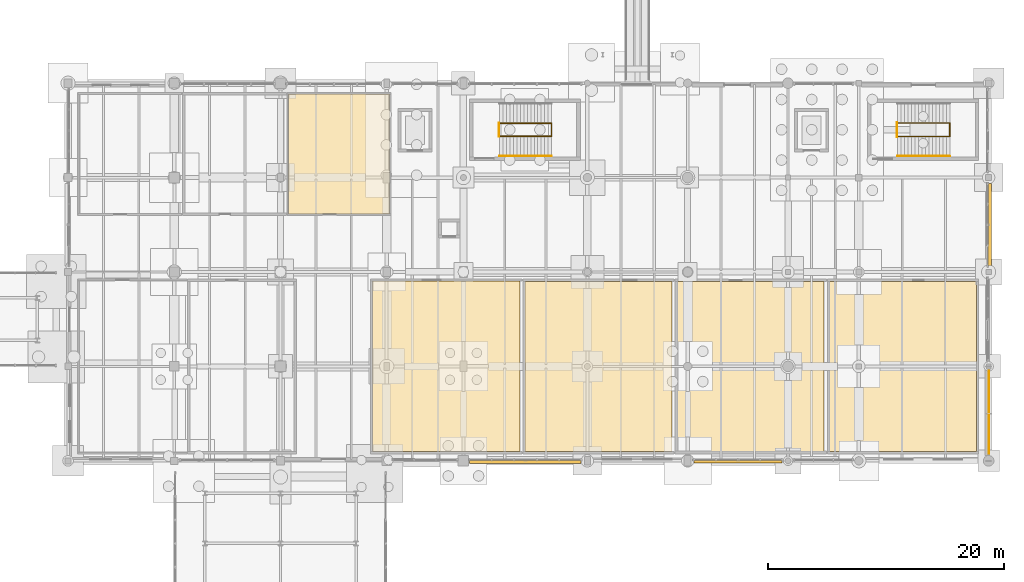
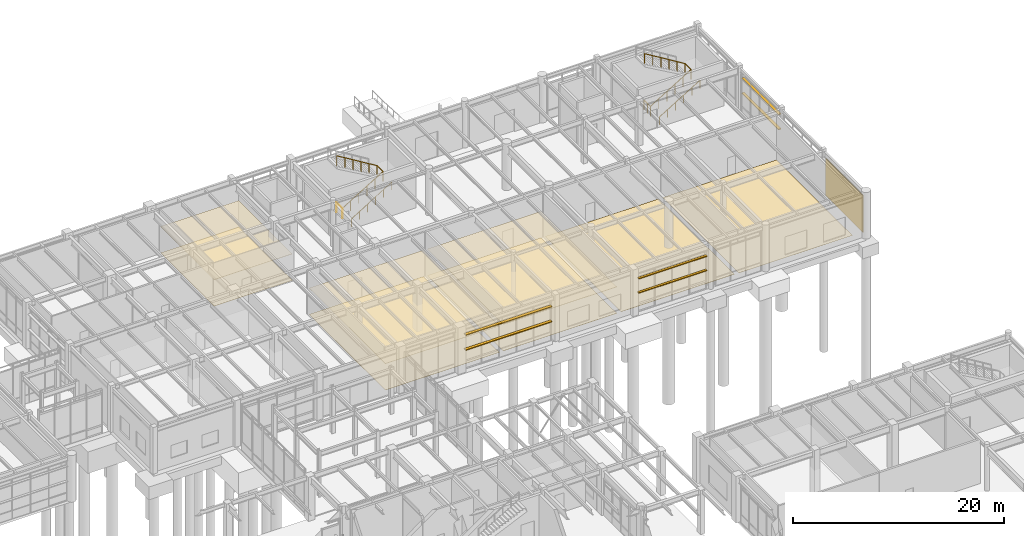
# One storey, part 201 of 203: 9 coverings, 6 railings, 6 shading devices.
"""IFC4 building model written with IfcOpenShell, lengths in metres."""

from ifc_helpers import new_model, si_unit, direction, frame, origin, origin_2d, place, context, subcontext, project, spatial, polyline, rectangle, circle, outline, extrude, material, layer, layer_set, type_object, element, save


model = new_model("IFC4")

# Units and contexts
model_context = context("Model", 3, precision=1e-05, world=origin(), true_north=direction((0.0, 1.0)))
body_context = subcontext(model_context, "Body", "Model", "MODEL_VIEW")
ifc_project = project(units=[si_unit("LENGTHUNIT", "METRE"), si_unit("AREAUNIT", "SQUARE_METRE"), si_unit("VOLUMEUNIT", "CUBIC_METRE"), si_unit("PLANEANGLEUNIT", "RADIAN"), si_unit("MASSUNIT", "GRAM", prefix="KILO"), si_unit("THERMODYNAMICTEMPERATUREUNIT", "KELVIN"), si_unit("POWERUNIT", "WATT")], contexts=[model_context])

# Site, building, storey
site_placement = place(None, origin())
site = spatial("IfcSite", under=ifc_project, at=site_placement, CompositionType="ELEMENT")
building_placement = place(site_placement, origin())
building = spatial("IfcBuilding", under=site, at=building_placement, Name="Tepalcoro Natatorium and Aquatics Centre", CompositionType="ELEMENT")
storey_placement = place(building_placement, origin())
storey = spatial("IfcBuildingStorey", under=building, at=storey_placement, Name="L00", CompositionType="ELEMENT", Elevation=0.0)

# Coverings
ifc_material_1 = material(Name="Volcanic Recinto Basalt Ashlar Masonry", Category="masonry")
ifc_layer_1 = layer(ifc_material_1, 0.070068359375)
ifc_layer_set_1 = layer_set([ifc_layer_1], Name="Volcanic Recinto Basalt Ashlar Masonry")
covering_type_1 = type_object("IfcCoveringType", Name="CD_RECINTO_70", PredefinedType="CLADDING", material=ifc_layer_set_1)
covering_1_placement = place(storey_placement, frame((176.030029296875, 90.125, 0.10009765625), z_axis=(0.0, 0.0, 1.0), x_axis=(1.0, 0.0, 0.0)))
element("IfcCovering", 1, at=covering_1_placement, inside=storey, type_object=covering_type_1, Name="Volcanic Stone Facade Cladding CD_RECINTO_70", PredefinedType="CLADDING", context=body_context, shape_type="SweptSolid", body=[
    extrude(rectangle(XDim=0.070068359375, YDim=7.0419921875, at=origin_2d()), origin(), (0.0, 0.0, 1.0), 4.298095703125),
])
ifc_material_2 = material(Name="Moisture-Resistant Acoustic Gypsum Drywall on Cold-Formed Metal Studs")
ifc_layer_2 = layer(ifc_material_2, 0.030029296875)
ifc_layer_set_2 = layer_set([ifc_layer_2], Name="Moisture-Resistant Acoustic Gypsum Drywall on Cold-Formed Metal Studs")
covering_type_2 = type_object("IfcCoveringType", Name="CL_GYPSUM_30", PredefinedType="CEILING", material=ifc_layer_set_2)
covering_2_placement = place(storey_placement, frame((0.0, 0.0, 3.050048828125)))
element("IfcCovering", 2, at=covering_2_placement, inside=storey, type_object=covering_type_2, Name="Media Mixed-Zone & Press Interview Theatre Suspended Ceiling", PredefinedType="CEILING", context=body_context, shape_type="SweptSolid", body=[
    extrude(outline(polyline([(123.81005859375, 86.77001953125), (123.81005859375, 101.22998046875), (136.2900390625, 101.22998046875), (136.2900390625, 86.77001953125), (123.81005859375, 86.77001953125)])), origin(), (0.0, 0.0, 1.0), 0.030029296875),
])
covering_3_placement = place(storey_placement, frame((0.0, 0.0, 3.050048828125)))
element("IfcCovering", 3, at=covering_3_placement, inside=storey, type_object=covering_type_2, Name="Facility Administration & Security Control Office Suspended Ceiling", PredefinedType="CEILING", context=body_context, shape_type="SweptSolid", body=[
    extrude(outline(polyline([(116.68798828125, 106.9150390625), (116.68798828125, 117.0849609375), (125.2451171875, 117.0849609375), (125.2451171875, 106.9150390625), (116.68798828125, 106.9150390625)])), origin(), (0.0, 0.0, 1.0), 0.030029296875),
])
ifc_material_3 = material(Name="Perforated Corrosion-Resistant Acoustic Aluminium Baffle Ceiling", Category="aluminium")
ifc_layer_3 = layer(ifc_material_3, 0.0400390625)
ifc_layer_set_3 = layer_set([ifc_layer_3], Name="Perforated Corrosion-Resistant Acoustic Aluminium Baffle Ceiling")
covering_type_3 = type_object("IfcCoveringType", Name="CL_PERF_AL_40", PredefinedType="CEILING", material=ifc_layer_set_3)
covering_4_placement = place(storey_placement, frame((0.0, 0.0, 3.050048828125)))
element("IfcCovering", 4, at=covering_4_placement, inside=storey, type_object=covering_type_3, Name="Broadcast Compound & OB Van Patch Room Suspended Ceiling", PredefinedType="CEILING", context=body_context, shape_type="SweptSolid", body=[
    extrude(outline(polyline([(136.735107421875, 86.794921875), (136.735107421875, 101.205078125), (149.1650390625, 101.205078125), (149.1650390625, 86.794921875), (136.735107421875, 86.794921875)])), origin(), (0.0, 0.0, 1.0), 0.0400390625),
])
ifc_material_4 = material(Name="Slip-Resistant Porcelain Aquatic Deck Tile")
ifc_layer_4 = layer(ifc_material_4, 0.02197265625)
ifc_layer_set_4 = layer_set([ifc_layer_4], Name="Slip-Resistant Porcelain Aquatic Deck Tile")
covering_type_4 = type_object("IfcCoveringType", Name="FL_DECK_TILE_22", PredefinedType="FLOORING", material=ifc_layer_set_4)
covering_5_placement = place(storey_placement, origin())
element("IfcCovering", 5, at=covering_5_placement, inside=storey, type_object=covering_type_4, Name="Media Mixed-Zone & Press Interview Theatre Floor Finish", PredefinedType="FLOORING", context=body_context, shape_type="SweptSolid", body=[
    extrude(outline(polyline([(123.81005859375, 86.77001953125), (123.81005859375, 101.22998046875), (136.2900390625, 101.22998046875), (136.2900390625, 86.77001953125), (123.81005859375, 86.77001953125)])), origin(), (0.0, 0.0, 1.0), 0.02197265625),
])
ifc_material_5 = material(Name="Chemical-Resistant Quartz-Broadcast Epoxy Flooring")
ifc_layer_5 = layer(ifc_material_5, 0.008056640625)
ifc_layer_set_5 = layer_set([ifc_layer_5], Name="Chemical-Resistant Quartz-Broadcast Epoxy Flooring")
covering_type_5 = type_object("IfcCoveringType", Name="FL_EPOXY_8", PredefinedType="FLOORING", material=ifc_layer_set_5)
covering_6_placement = place(storey_placement, origin())
element("IfcCovering", 6, at=covering_6_placement, inside=storey, type_object=covering_type_5, Name="Public Accessible WC Floor Finish", PredefinedType="FLOORING", context=body_context, shape_type="SweptSolid", body=[
    extrude(outline(polyline([(162.530029296875, 86.7900390625), (162.530029296875, 101.2099609375), (174.969970703125, 101.2099609375), (174.969970703125, 86.7900390625), (162.530029296875, 86.7900390625)])), origin(), (0.0, 0.0, 1.0), 0.008056640625),
])
ifc_material_6 = material(Name="Polished Jalisco Basalt Aggregate Terrazzo Flooring", Category="masonry")
ifc_layer_6 = layer(ifc_material_6, 0.028076171875)
ifc_layer_set_6 = layer_set([ifc_layer_6], Name="Polished Jalisco Basalt Aggregate Terrazzo Flooring")
covering_type_6 = type_object("IfcCoveringType", Name="FL_TERRAZZO_25", PredefinedType="FLOORING", material=ifc_layer_set_6)
covering_7_placement = place(storey_placement, origin())
element("IfcCovering", 7, at=covering_7_placement, inside=storey, type_object=covering_type_6, Name="North Wing Public Male & Female Toilets Floor Finish", PredefinedType="FLOORING", context=body_context, shape_type="SweptSolid", body=[
    extrude(outline(polyline([(149.64990234375, 86.81005859375), (149.64990234375, 101.18994140625), (162.050048828125, 101.18994140625), (162.050048828125, 86.81005859375), (149.64990234375, 86.81005859375)])), origin(), (0.0, 0.0, 1.0), 0.028076171875),
])
ifc_layer_7 = layer(ifc_material_4, 0.01806640625)
ifc_layer_set_7 = layer_set([ifc_layer_7], Name="Slip-Resistant Porcelain Aquatic Deck Tile")
covering_type_7 = type_object("IfcCoveringType", Name="FL_TILE_18", PredefinedType="FLOORING", material=ifc_layer_set_7)
covering_8_placement = place(storey_placement, origin())
element("IfcCovering", 8, at=covering_8_placement, inside=storey, type_object=covering_type_7, Name="Facility Administration & Security Control Office Floor Finish", PredefinedType="FLOORING", context=body_context, shape_type="SweptSolid", body=[
    extrude(outline(polyline([(116.68798828125, 106.9150390625), (116.68798828125, 117.0849609375), (125.2451171875, 117.0849609375), (125.2451171875, 106.9150390625), (116.68798828125, 106.9150390625)])), origin(), (0.0, 0.0, 1.0), 0.01806640625),
])
ifc_material_7 = material(Name="Sprung Maple Sports Floor Assembly")
ifc_layer_8 = layer(ifc_material_7, 0.02392578125)
ifc_layer_set_8 = layer_set([ifc_layer_8], Name="Sprung Maple Sports Floor Assembly")
covering_type_8 = type_object("IfcCoveringType", Name="FL_WOOD_22", PredefinedType="FLOORING", material=ifc_layer_set_8)
covering_9_placement = place(storey_placement, origin())
element("IfcCovering", 9, at=covering_9_placement, inside=storey, type_object=covering_type_8, Name="Broadcast Compound & OB Van Patch Room Floor Finish", PredefinedType="FLOORING", context=body_context, shape_type="SweptSolid", body=[
    extrude(outline(polyline([(136.735107421875, 86.794921875), (136.735107421875, 101.205078125), (149.1650390625, 101.205078125), (149.1650390625, 86.794921875), (136.735107421875, 86.794921875)])), origin(), (0.0, 0.0, 1.0), 0.02392578125),
])

# Railings
ifc_material_8 = material(Name="Marine-Grade Brushed Stainless Steel AISI 316L", Category="steel")
railing_type_1 = type_object("IfcRailingType", Name="RL_HAND_920_SS", PredefinedType="HANDRAIL", material=ifc_material_8)
for number, where, name in (
    (10, (134.550048828125, 111.830078125, 0.0), "ST09-L00 Wall Handrail F1"),
    (11, (168.280029296875, 111.81005859375, 0.0), "ST10-L00 Wall Handrail F1"),
):
    element("IfcRailing", number, at=place(storey_placement, frame(where)), inside=storey, type_object=railing_type_1, Name=name, PredefinedType="HANDRAIL", context=body_context, shape_type="SweptSolid", body=[
        extrude(circle(Radius=0.02392578125, at=origin_2d()), frame((0.0, 0.0, 0.89599609375), z_axis=(0.853646024003, 0.0, 0.520853593349), x_axis=(0.0, 1.0, 0.0)), (0.0, 0.0, 1.0), 5.18359375),
        extrude(circle(Radius=0.02099609375, at=origin_2d()), origin(), (0.0, 0.0, 1.0), 0.871826171875),
        extrude(circle(Radius=0.02099609375, at=origin_2d()), frame((0.885009765625, 0.0, 0.5400390625)), (0.0, 0.0, 1.0), 0.871826171875),
        extrude(circle(Radius=0.02099609375, at=origin_2d()), frame((1.77001953125, 0.0, 1.080078125)), (0.0, 0.0, 1.0), 0.871826171875),
        extrude(circle(Radius=0.02099609375, at=origin_2d()), frame((2.655029296875, 0.0, 1.619873046875)), (0.0, 0.0, 1.0), 0.871826171875),
        extrude(circle(Radius=0.02099609375, at=origin_2d()), frame((3.5400390625, 0.0, 2.159912109375)), (0.0, 0.0, 1.0), 0.871826171875),
        extrude(circle(Radius=0.02099609375, at=origin_2d()), frame((4.425048828125, 0.0, 2.699951171875)), (0.0, 0.0, 1.0), 0.871826171875),
    ])
railing_type_2 = type_object("IfcRailingType", Name="RL_PERF_1100", PredefinedType="GUARDRAIL", material=ifc_material_8)
railing_1_placement = place(storey_placement, frame((134.550048828125, 113.5, 0.0)))
element("IfcRailing", 12, at=railing_1_placement, inside=storey, type_object=railing_type_2, Name="ST09-L00 Inner Stairwell Guardrail", PredefinedType="GUARDRAIL", context=body_context, shape_type="SweptSolid", body=[
    extrude(circle(Radius=0.02392578125, at=origin_2d()), frame((0.0, 0.0, 1.11572265625), z_axis=(0.853646024003, 0.0, 0.520853593349), x_axis=(0.0, 1.0, 0.0)), (0.0, 0.0, 1.0), 5.18359375),
    extrude(circle(Radius=0.02392578125, at=origin_2d()), frame((4.425048828125, 0.0, 3.81591796875), z_axis=(0.0, 1.0, 0.0), x_axis=(-1.0, 0.0, 0.0)), (0.0, 0.0, 1.0), 1.10009765625),
    extrude(circle(Radius=0.02392578125, at=origin_2d()), frame((4.425048828125, 1.10009765625, 3.81591796875), z_axis=(-0.853646024003, 0.0, 0.520853593349), x_axis=(0.0, -1.0, 0.0)), (0.0, 0.0, 1.0), 5.18359375),
    extrude(circle(Radius=0.02099609375, at=origin_2d()), origin(), (0.0, 0.0, 1.0), 1.091796875),
    extrude(circle(Radius=0.02099609375, at=origin_2d()), frame((0.885009765625, 0.0, 0.5400390625)), (0.0, 0.0, 1.0), 1.091796875),
    extrude(circle(Radius=0.02099609375, at=origin_2d()), frame((1.77001953125, 0.0, 1.080078125)), (0.0, 0.0, 1.0), 1.091796875),
    extrude(circle(Radius=0.02099609375, at=origin_2d()), frame((2.655029296875, 0.0, 1.619873046875)), (0.0, 0.0, 1.0), 1.091796875),
    extrude(circle(Radius=0.02099609375, at=origin_2d()), frame((3.5400390625, 0.0, 2.159912109375)), (0.0, 0.0, 1.0), 1.091796875),
    extrude(circle(Radius=0.02099609375, at=origin_2d()), frame((4.425048828125, 0.0, 2.699951171875)), (0.0, 0.0, 1.0), 1.091796875),
    extrude(circle(Radius=0.02099609375, at=origin_2d()), frame((4.425048828125, 1.10009765625, 2.699951171875)), (0.0, 0.0, 1.0), 1.091796875),
    extrude(circle(Radius=0.02099609375, at=origin_2d()), frame((3.5400390625, 1.10009765625, 3.239990234375)), (0.0, 0.0, 1.0), 1.091796875),
    extrude(circle(Radius=0.02099609375, at=origin_2d()), frame((2.655029296875, 1.10009765625, 3.780029296875)), (0.0, 0.0, 1.0), 1.091796875),
    extrude(circle(Radius=0.02099609375, at=origin_2d()), frame((1.77001953125, 1.10009765625, 4.31982421875)), (0.0, 0.0, 1.0), 1.091796875),
    extrude(circle(Radius=0.02099609375, at=origin_2d()), frame((0.885009765625, 1.10009765625, 4.85986328125)), (0.0, 0.0, 1.0), 1.091796875),
    extrude(circle(Radius=0.02099609375, at=origin_2d()), frame((0.0, 1.10009765625, 5.39990234375)), (0.0, 0.0, 1.0), 1.091796875),
])
railing_2_placement = place(storey_placement, frame((134.52001953125, 113.4599609375, 0.0)))
element("IfcRailing", 13, at=railing_2_placement, inside=storey, type_object=railing_type_2, Name="ST09-L00 Landing Well Slot Guard", PredefinedType="GUARDRAIL", context=body_context, shape_type="SweptSolid", body=[
    extrude(circle(Radius=0.02392578125, at=origin_2d()), frame((0.0, 0.0, 1.11572265625), z_axis=(0.0, 1.0, 0.0), x_axis=(-1.0, 0.0, 0.0)), (0.0, 0.0, 1.0), 1.179931640625),
    extrude(circle(Radius=0.02099609375, at=origin_2d()), origin(), (0.0, 0.0, 1.0), 1.091796875),
    extrude(circle(Radius=0.02099609375, at=origin_2d()), frame((0.0, 1.179931640625, 0.0)), (0.0, 0.0, 1.0), 1.091796875),
])
railing_3_placement = place(storey_placement, frame((168.280029296875, 113.47998046875, 0.0)))
element("IfcRailing", 14, at=railing_3_placement, inside=storey, type_object=railing_type_2, Name="ST10-L00 Inner Stairwell Guardrail", PredefinedType="GUARDRAIL", context=body_context, shape_type="SweptSolid", body=[
    extrude(circle(Radius=0.02392578125, at=origin_2d()), frame((0.0, 0.0, 1.11572265625), z_axis=(0.853646024003, 0.0, 0.520853593349), x_axis=(0.0, 1.0, 0.0)), (0.0, 0.0, 1.0), 5.18359375),
    extrude(circle(Radius=0.02392578125, at=origin_2d()), frame((4.425048828125, 0.0, 3.81591796875), z_axis=(0.0, 1.0, 0.0), x_axis=(-1.0, 0.0, 0.0)), (0.0, 0.0, 1.0), 1.14013671875),
    extrude(circle(Radius=0.02392578125, at=origin_2d()), frame((4.425048828125, 1.14013671875, 3.81591796875), z_axis=(-0.853646024003, 0.0, 0.520853593349), x_axis=(0.0, -1.0, 0.0)), (0.0, 0.0, 1.0), 5.18359375),
    extrude(circle(Radius=0.02099609375, at=origin_2d()), origin(), (0.0, 0.0, 1.0), 1.091796875),
    extrude(circle(Radius=0.02099609375, at=origin_2d()), frame((0.885009765625, 0.0, 0.5400390625)), (0.0, 0.0, 1.0), 1.091796875),
    extrude(circle(Radius=0.02099609375, at=origin_2d()), frame((1.77001953125, 0.0, 1.080078125)), (0.0, 0.0, 1.0), 1.091796875),
    extrude(circle(Radius=0.02099609375, at=origin_2d()), frame((2.655029296875, 0.0, 1.619873046875)), (0.0, 0.0, 1.0), 1.091796875),
    extrude(circle(Radius=0.02099609375, at=origin_2d()), frame((3.5400390625, 0.0, 2.159912109375)), (0.0, 0.0, 1.0), 1.091796875),
    extrude(circle(Radius=0.02099609375, at=origin_2d()), frame((4.425048828125, 0.0, 2.699951171875)), (0.0, 0.0, 1.0), 1.091796875),
    extrude(circle(Radius=0.02099609375, at=origin_2d()), frame((4.425048828125, 1.14013671875, 2.699951171875)), (0.0, 0.0, 1.0), 1.091796875),
    extrude(circle(Radius=0.02099609375, at=origin_2d()), frame((3.5400390625, 1.14013671875, 3.239990234375)), (0.0, 0.0, 1.0), 1.091796875),
    extrude(circle(Radius=0.02099609375, at=origin_2d()), frame((2.655029296875, 1.14013671875, 3.780029296875)), (0.0, 0.0, 1.0), 1.091796875),
    extrude(circle(Radius=0.02099609375, at=origin_2d()), frame((1.77001953125, 1.14013671875, 4.31982421875)), (0.0, 0.0, 1.0), 1.091796875),
    extrude(circle(Radius=0.02099609375, at=origin_2d()), frame((0.885009765625, 1.14013671875, 4.85986328125)), (0.0, 0.0, 1.0), 1.091796875),
    extrude(circle(Radius=0.02099609375, at=origin_2d()), frame((0.0, 1.14013671875, 5.39990234375)), (0.0, 0.0, 1.0), 1.091796875),
])
railing_4_placement = place(storey_placement, frame((168.25, 113.43994140625, 0.0)))
element("IfcRailing", 15, at=railing_4_placement, inside=storey, type_object=railing_type_2, Name="ST10-L00 Landing Well Slot Guard", PredefinedType="GUARDRAIL", context=body_context, shape_type="SweptSolid", body=[
    extrude(circle(Radius=0.02392578125, at=origin_2d()), frame((0.0, 0.0, 1.11572265625), z_axis=(0.0, 1.0, 0.0), x_axis=(-1.0, 0.0, 0.0)), (0.0, 0.0, 1.0), 1.219970703125),
    extrude(circle(Radius=0.02099609375, at=origin_2d()), origin(), (0.0, 0.0, 1.0), 1.091796875),
    extrude(circle(Radius=0.02099609375, at=origin_2d()), frame((0.0, 0.60986328125, 0.0)), (0.0, 0.0, 1.0), 1.091796875),
    extrude(circle(Radius=0.02099609375, at=origin_2d()), frame((0.0, 1.219970703125, 0.0)), (0.0, 0.0, 1.0), 1.091796875),
])

# Shading devices
ifc_material_9 = material(Name="Bronze-Anodised Extruded Aluminium Alloy EN AW-6063 T6", Category="aluminium")
shading_device_type_1 = type_object("IfcShadingDeviceType", Name="SHD_FIN_BRONZE", PredefinedType="SHUTTER", material=ifc_material_9)
for number, where, z_axis, x_axis, name in (
    (16, (136.75, 85.90625, 2.327392578125), (0.0, 0.0, 1.0), (1.0, 0.0, 0.0), "Solar Shading Brise-Soleil SHD_FIN_BRONZE"),
    (17, (136.75, 85.90625, 4.06005859375), (0.0, 0.0, 1.0), (1.0, 0.0, 0.0), "Solar Shading Brise-Soleil SHD_FIN_BRONZE"),
):
    element("IfcShadingDevice", number, at=place(storey_placement, frame(where, z_axis=z_axis, x_axis=x_axis)), inside=storey, type_object=shading_device_type_1, Name=name, PredefinedType="SHUTTER", context=body_context, shape_type="SweptSolid", body=[
        extrude(rectangle(XDim=9.4599609375, YDim=0.300048828125, at=origin_2d()), origin(), (0.0, 0.0, 1.0), 0.080078125),
    ])
for number, where, z_axis, x_axis, name in (
    (18, (176.0888671875, 106.0, 2.327392578125), (0.0, 0.0, 1.0), (1.0, 0.0, 0.0), "Solar Shading Brise-Soleil SHD_FIN_BRONZE"),
    (19, (176.0888671875, 106.0, 4.06005859375), (0.0, 0.0, 1.0), (1.0, 0.0, 0.0), "Solar Shading Brise-Soleil SHD_FIN_BRONZE"),
):
    element("IfcShadingDevice", number, at=place(storey_placement, frame(where, z_axis=z_axis, x_axis=x_axis)), inside=storey, type_object=shading_device_type_1, Name=name, PredefinedType="SHUTTER", context=body_context, shape_type="SweptSolid", body=[
        extrude(rectangle(XDim=0.300048828125, YDim=6.9599609375, at=origin_2d()), origin(), (0.0, 0.0, 1.0), 0.080078125),
    ])
shading_device_type_2 = type_object("IfcShadingDeviceType", Name="SHD_LOUVRE_AL", PredefinedType="JALOUSIE", material=ifc_material_9)
for number, where, z_axis, x_axis, name in (
    (20, (154.75, 85.936279296875, 2.259033203125), (0.0, 0.0, 1.0), (1.0, 0.0, 0.0), "Solar Shading Brise-Soleil SHD_LOUVRE_AL"),
    (21, (154.75, 85.936279296875, 3.907958984375), (0.0, 0.0, 1.0), (1.0, 0.0, 0.0), "Solar Shading Brise-Soleil SHD_LOUVRE_AL"),
):
    element("IfcShadingDevice", number, at=place(storey_placement, frame(where, z_axis=z_axis, x_axis=x_axis)), inside=storey, type_object=shading_device_type_2, Name=name, PredefinedType="JALOUSIE", context=body_context, shape_type="SweptSolid", body=[
        extrude(rectangle(XDim=7.4599609375, YDim=0.239990234375, at=origin_2d()), origin(), (0.0, 0.0, 1.0), 0.080078125),
    ])

save(model, "model.ifc")
